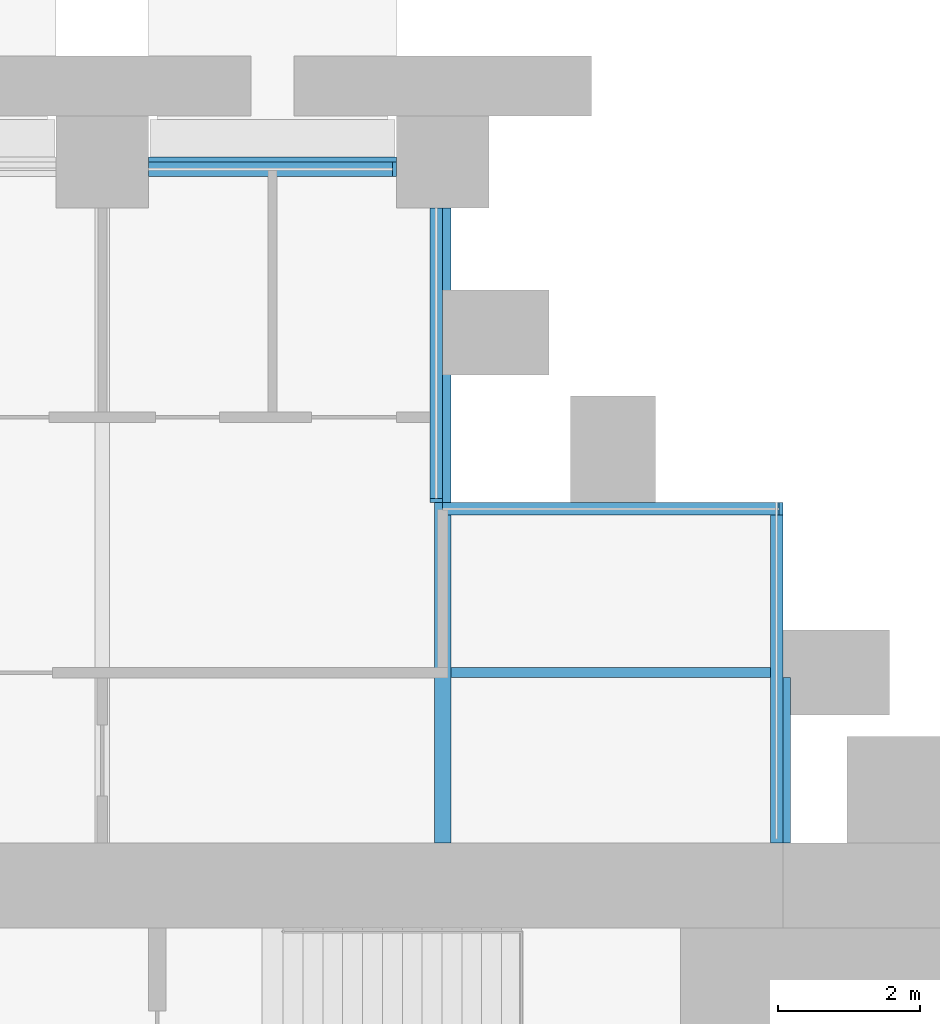
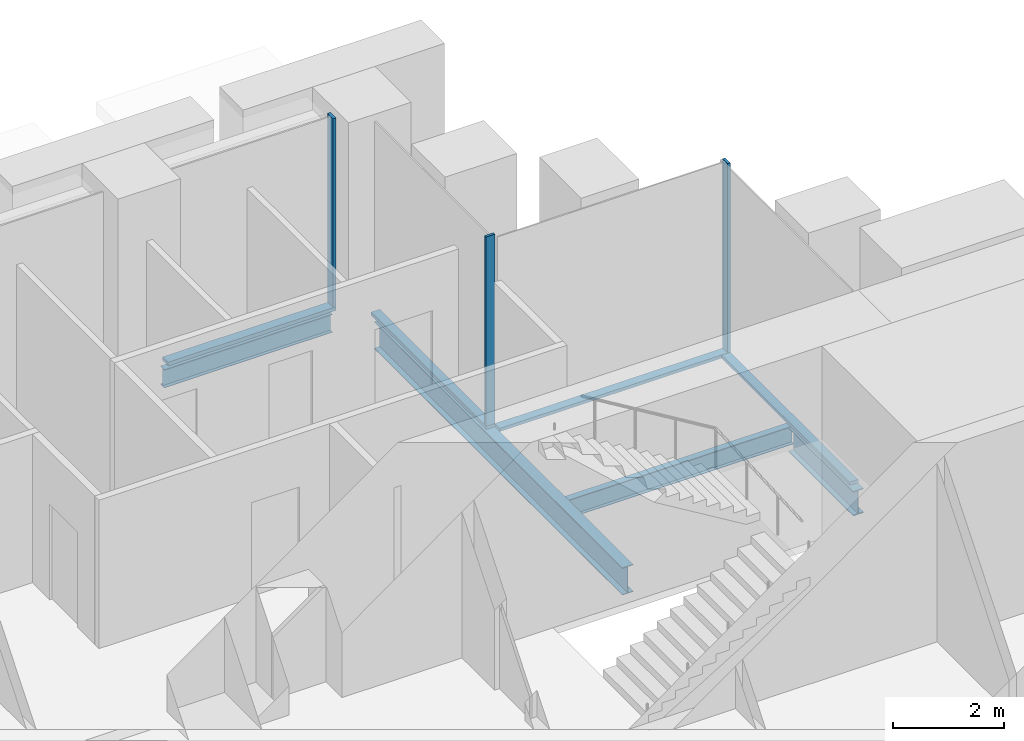
# One storey, part 17 of 32: 7 members, 4 beams, 4 elements without a shape of their own.
"""IFC4 building model written with IfcOpenShell, lengths in metres."""

from ifc_helpers import new_model, si_unit, direction, frame, origin, origin_2d, place, context, subcontext, project, spatial, rectangle, i_section, extrude, material, material_profile, profile_set, type_object, element, aggregate, save


model = new_model("IFC4")

# Units and contexts
model_context = context("Model", 3, precision=1e-05, world=origin(), true_north=direction((0.0, 1.0)))
body_context = subcontext(model_context, "Body", "Model", "MODEL_VIEW")
ifc_project = project(units=[si_unit("LENGTHUNIT", "METRE"), si_unit("AREAUNIT", "SQUARE_METRE"), si_unit("VOLUMEUNIT", "CUBIC_METRE"), si_unit("PLANEANGLEUNIT", "RADIAN"), si_unit("MASSUNIT", "GRAM", prefix="KILO")], contexts=[model_context])

# Site, building, storey
site_placement = place(None, origin())
site = spatial("IfcSite", under=ifc_project, at=site_placement, CompositionType="ELEMENT")
building_placement = place(site_placement, origin())
building = spatial("IfcBuilding", under=site, at=building_placement, Name="Baori Bourse Tower", CompositionType="ELEMENT")
storey_placement = place(building_placement, frame((0.0, 0.0, 21.39990234375)))
storey = spatial("IfcBuildingStorey", under=building, at=storey_placement, Name="L03", CompositionType="ELEMENT", Elevation=21.39990234375)

# Curtain wall, members
ifc_material_1 = material(Name="Pale anodised aluminium", Category="aluminium")
curtain_wall_type_1 = type_object("IfcCurtainWallType", Name="CW1 Curtain wall", PredefinedType="NOTDEFINED", material=ifc_material_1)
curtain_wall_1_placement = place(storey_placement, origin())
curtain_wall_1 = element("IfcCurtainWall", 1, at=curtain_wall_1_placement, inside=storey, type_object=curtain_wall_type_1, Name="Curtain wall CW1 L03 4", PredefinedType="NOTDEFINED")
ifc_material_2 = material(Name="Pale anodised aluminium", Category="aluminium")
ifc_material_profile_1 = material_profile(ifc_material_2, rectangle(XDim=0.199951171875, YDim=0.06005859375, at=origin_2d()), Name="Mullion 60x200")
ifc_profile_set_1 = profile_set([ifc_material_profile_1], Name="Pale anodised aluminium")
member_type_1 = type_object("IfcMemberType", Name="CW1 Curtain wall mullion", PredefinedType="MULLION", material=ifc_profile_set_1)
member_1_placement = place(storey_placement, frame((47.320068359375, 47.89990234375, 0.080078125), z_axis=(0.0, 0.0, 1.0), x_axis=(0.0, -1.0, 0.0)))
member_1 = element("IfcMember", 2, at=member_1_placement, type_object=member_type_1, Name="Curtain wall CW1 mullion", PredefinedType="MULLION", context=body_context, shape_type="SweptSolid", body=[
    extrude(rectangle(XDim=0.199951171875, YDim=0.06005859375, at=origin_2d()), origin(), (0.0, 0.0, 1.0), 4.159912109375),
])
ifc_material_3 = material(Name="Pale anodised aluminium", Category="aluminium")
ifc_material_profile_2 = material_profile(ifc_material_3, rectangle(XDim=0.199951171875, YDim=0.080078125, at=origin_2d()), Name="Transom 80x200")
ifc_profile_set_2 = profile_set([ifc_material_profile_2], Name="Pale anodised aluminium")
member_type_2 = type_object("IfcMemberType", Name="CW1 Curtain wall transom", PredefinedType="USERDEFINED", material=ifc_profile_set_2)
member_2_placement = place(storey_placement, frame((47.35009765625, 47.89990234375, 0.0400390625), z_axis=(-1.0, 0.0, 0.0), x_axis=(0.0, -1.0, 0.0)))
member_2 = element("IfcMember", 3, at=member_2_placement, type_object=member_type_2, Name="Curtain wall CW1 sill rail", ObjectType="TRANSOM", PredefinedType="USERDEFINED", context=body_context, shape_type="SweptSolid", body=[
    extrude(rectangle(XDim=0.199951171875, YDim=0.080078125, at=origin_2d()), origin(), (0.0, 0.0, 1.0), 3.5),
])
aggregate(curtain_wall_1, [member_2, member_1])

# Curtain wall, member
ifc_material_4 = material(Name="Pale anodised aluminium", Category="aluminium")
curtain_wall_type_2 = type_object("IfcCurtainWallType", Name="CW2 Curtain wall", PredefinedType="NOTDEFINED", material=ifc_material_4)
curtain_wall_2_placement = place(storey_placement, origin())
curtain_wall_2 = element("IfcCurtainWall", 4, at=curtain_wall_2_placement, inside=storey, type_object=curtain_wall_type_2, Name="Curtain wall CW2 L03 2", PredefinedType="NOTDEFINED")
ifc_material_5 = material(Name="Pale anodised aluminium", Category="aluminium")
ifc_material_profile_3 = material_profile(ifc_material_5, rectangle(XDim=0.179931640625, YDim=0.054931640625, at=origin_2d()), Name="Mullion 55x180")
ifc_profile_set_3 = profile_set([ifc_material_profile_3], Name="Pale anodised aluminium")
member_type_3 = type_object("IfcMemberType", Name="CW2 Curtain wall mullion", PredefinedType="MULLION", material=ifc_profile_set_3)
member_3_placement = place(storey_placement, frame((52.7724609375, 43.110107421875, 0.070068359375), z_axis=(0.0, 0.0, 1.0), x_axis=(0.0, -1.0, 0.0)))
member_3 = element("IfcMember", 5, at=member_3_placement, type_object=member_type_3, Name="Curtain wall CW2 mullion", PredefinedType="MULLION", context=body_context, shape_type="SweptSolid", body=[
    extrude(rectangle(XDim=0.179931640625, YDim=0.054931640625, at=origin_2d()), origin(), (0.0, 0.0, 1.0), 4.169921875),
])

curtain_wall_3_placement = place(storey_placement, origin())
curtain_wall_3 = element("IfcCurtainWall", 6, at=curtain_wall_3_placement, inside=storey, type_object=curtain_wall_type_2, Name="Curtain wall CW2 L03 3", PredefinedType="NOTDEFINED")
member_4_placement = place(storey_placement, frame((47.909912109375, 43.2275390625, 0.070068359375), z_axis=(0.0, 0.0, 1.0), x_axis=(-1.0, 0.0, 0.0)))
member_4 = element("IfcMember", 7, at=member_4_placement, type_object=member_type_3, Name="Curtain wall CW2 mullion", PredefinedType="MULLION", context=body_context, shape_type="SweptSolid", body=[
    extrude(rectangle(XDim=0.179931640625, YDim=0.054931640625, at=origin_2d()), origin(), (0.0, 0.0, 1.0), 4.169921875),
])

curtain_wall_4_placement = place(storey_placement, origin())
curtain_wall_4 = element("IfcCurtainWall", 8, at=curtain_wall_4_placement, inside=storey, type_object=curtain_wall_type_2, Name="Curtain wall CW2 L03 1", PredefinedType="NOTDEFINED")
ifc_material_6 = material(Name="Pale anodised aluminium", Category="aluminium")
ifc_material_profile_4 = material_profile(ifc_material_6, rectangle(XDim=0.179931640625, YDim=0.070068359375, at=origin_2d()), Name="Transom 70x180")
ifc_profile_set_4 = profile_set([ifc_material_profile_4], Name="Pale anodised aluminium")
member_type_4 = type_object("IfcMemberType", Name="CW2 Curtain wall transom", PredefinedType="USERDEFINED", material=ifc_profile_set_4)
member_5_placement = place(storey_placement, frame((52.7099609375, 38.39990234375, 0.03515625), z_axis=(0.0, 1.0, 0.0), x_axis=(-1.0, 0.0, 0.0)))
member_5 = element("IfcMember", 9, at=member_5_placement, type_object=member_type_4, Name="Curtain wall CW2 sill rail", ObjectType="TRANSOM", PredefinedType="USERDEFINED", context=body_context, shape_type="SweptSolid", body=[
    extrude(rectangle(XDim=0.179931640625, YDim=0.070068359375, at=origin_2d()), origin(), (0.0, 0.0, 1.0), 4.800048828125),
])
aggregate(curtain_wall_4, [member_5])

# Member
member_6_placement = place(storey_placement, frame((52.800048828125, 43.110107421875, 0.03515625), z_axis=(-1.0, 0.0, 0.0), x_axis=(0.0, -1.0, 0.0)))
member_6 = element("IfcMember", 10, at=member_6_placement, type_object=member_type_4, Name="Curtain wall CW2 sill rail", ObjectType="TRANSOM", PredefinedType="USERDEFINED", context=body_context, shape_type="SweptSolid", body=[
    extrude(rectangle(XDim=0.179931640625, YDim=0.070068359375, at=origin_2d()), origin(), (0.0, 0.0, 1.0), 4.800048828125),
])

aggregate(curtain_wall_2, [member_6, member_3])

member_7_placement = place(storey_placement, frame((47.909912109375, 43.199951171875, 0.03515625), z_axis=(0.0, 1.0, 0.0), x_axis=(-1.0, 0.0, 0.0)))
member_7 = element("IfcMember", 11, at=member_7_placement, type_object=member_type_4, Name="Curtain wall CW2 sill rail", ObjectType="TRANSOM", PredefinedType="USERDEFINED", context=body_context, shape_type="SweptSolid", body=[
    extrude(rectangle(XDim=0.179931640625, YDim=0.070068359375, at=origin_2d()), origin(), (0.0, 0.0, 1.0), 4.150146484375),
])

aggregate(curtain_wall_3, [member_7, member_4])

# Beams
ifc_material_7 = material(Name="Steel A992 Gr 50", Category="steel")
ifc_material_profile_5 = material_profile(ifc_material_7, i_section(OverallWidth=0.21240234375, OverallDepth=0.54345703125, WebThickness=0.01318359375, FlangeThickness=0.021240234375, at=origin_2d()), Name="W21x83")
ifc_profile_set_5 = profile_set([ifc_material_profile_5], Name="Steel A992 Gr 50")
beam_type_1 = type_object("IfcBeamType", Name="Core bracket W21x83", PredefinedType="BEAM", material=ifc_profile_set_5)
beam_1_placement = place(storey_placement, frame((52.800048828125, 38.39990234375, -0.431640625), z_axis=(0.0, 1.0, 0.0), x_axis=(-1.0, 0.0, 0.0)))
element("IfcBeam", 12, at=beam_1_placement, inside=storey, type_object=beam_type_1, Name="Core bracket L03", PredefinedType="BEAM", context=body_context, shape_type="SweptSolid", body=[
    extrude(i_section(OverallWidth=0.21240234375, OverallDepth=0.54345703125, WebThickness=0.01318359375, FlangeThickness=0.021240234375, at=origin_2d()), origin(), (0.0, 0.0, 1.0), 2.329833984375),
])
ifc_material_8 = material(Name="Steel A992 Gr 50", Category="steel")
ifc_material_profile_6 = material_profile(ifc_material_8, i_section(OverallWidth=0.140380859375, OverallDepth=0.40380859375, WebThickness=0.007080078125, FlangeThickness=0.01123046875, at=origin_2d()), Name="W16x31")
ifc_profile_set_6 = profile_set([ifc_material_profile_6], Name="Steel A992 Gr 50")
beam_type_2 = type_object("IfcBeamType", Name="Edge beam W16x31", PredefinedType="BEAM", material=ifc_profile_set_6)
beam_2_placement = place(storey_placement, frame((43.85009765625, 48.0, -0.36181640625), z_axis=(1.0, 0.0, 0.0), x_axis=(0.0, 1.0, 0.0)))
element("IfcBeam", 13, at=beam_2_placement, inside=storey, type_object=beam_type_2, Name="Edge beam L03", PredefinedType="BEAM", context=body_context, shape_type="SweptSolid", body=[
    extrude(i_section(OverallWidth=0.140380859375, OverallDepth=0.40380859375, WebThickness=0.007080078125, FlangeThickness=0.01123046875, at=origin_2d()), origin(), (0.0, 0.0, 1.0), 3.5),
])
ifc_material_9 = material(Name="Steel A992 Gr 50", Category="steel")
ifc_material_profile_7 = material_profile(ifc_material_9, i_section(OverallWidth=0.227783203125, OverallDepth=0.60205078125, WebThickness=0.010498046875, FlangeThickness=0.014892578125, at=origin_2d()), Name="W24x68")
ifc_profile_set_7 = profile_set([ifc_material_profile_7], Name="Steel A992 Gr 50")
beam_type_3 = type_object("IfcBeamType", Name="Floor beam W24x68", PredefinedType="BEAM", material=ifc_profile_set_7)
beam_3_placement = place(storey_placement, frame((48.0, 38.39990234375, -0.4609375), z_axis=(0.0, 1.0, 0.0), x_axis=(-1.0, 0.0, 0.0)))
element("IfcBeam", 14, at=beam_3_placement, inside=storey, type_object=beam_type_3, Name="Floor beam L03", PredefinedType="BEAM", context=body_context, shape_type="SweptSolid", body=[
    extrude(i_section(OverallWidth=0.227783203125, OverallDepth=0.60205078125, WebThickness=0.010498046875, FlangeThickness=0.014892578125, at=origin_2d()), origin(), (0.0, 0.0, 1.0), 8.9501953125),
])
ifc_material_10 = material(Name="Steel A992 Gr 50", Category="steel")
ifc_material_profile_8 = material_profile(ifc_material_10, i_section(OverallWidth=0.140380859375, OverallDepth=0.40380859375, WebThickness=0.007080078125, FlangeThickness=0.01123046875, at=origin_2d()), Name="W16x31")
ifc_profile_set_8 = profile_set([ifc_material_profile_8], Name="Steel A992 Gr 50")
beam_type_4 = type_object("IfcBeamType", Name="Trimmer beam W16x31", PredefinedType="BEAM", material=ifc_profile_set_8)
beam_4_placement = place(storey_placement, frame((48.114013671875, 40.800048828125, -0.36181640625), z_axis=(1.0, 0.0, 0.0), x_axis=(0.0, 1.0, 0.0)))
element("IfcBeam", 15, at=beam_4_placement, inside=storey, type_object=beam_type_4, Name="Trimmer beam L03", PredefinedType="BEAM", context=body_context, shape_type="SweptSolid", body=[
    extrude(i_section(OverallWidth=0.140380859375, OverallDepth=0.40380859375, WebThickness=0.007080078125, FlangeThickness=0.01123046875, at=origin_2d()), origin(), (0.0, 0.0, 1.0), 4.68603515625),
])

save(model, "model.ifc")
